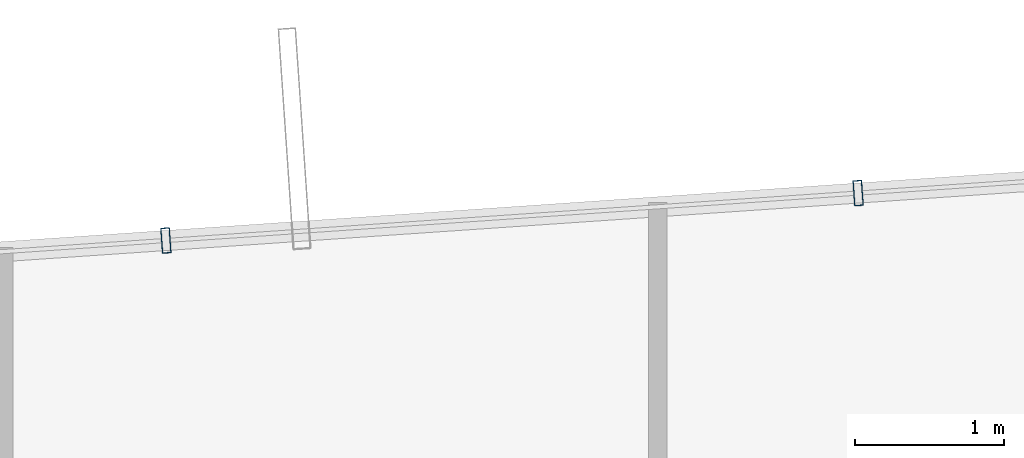
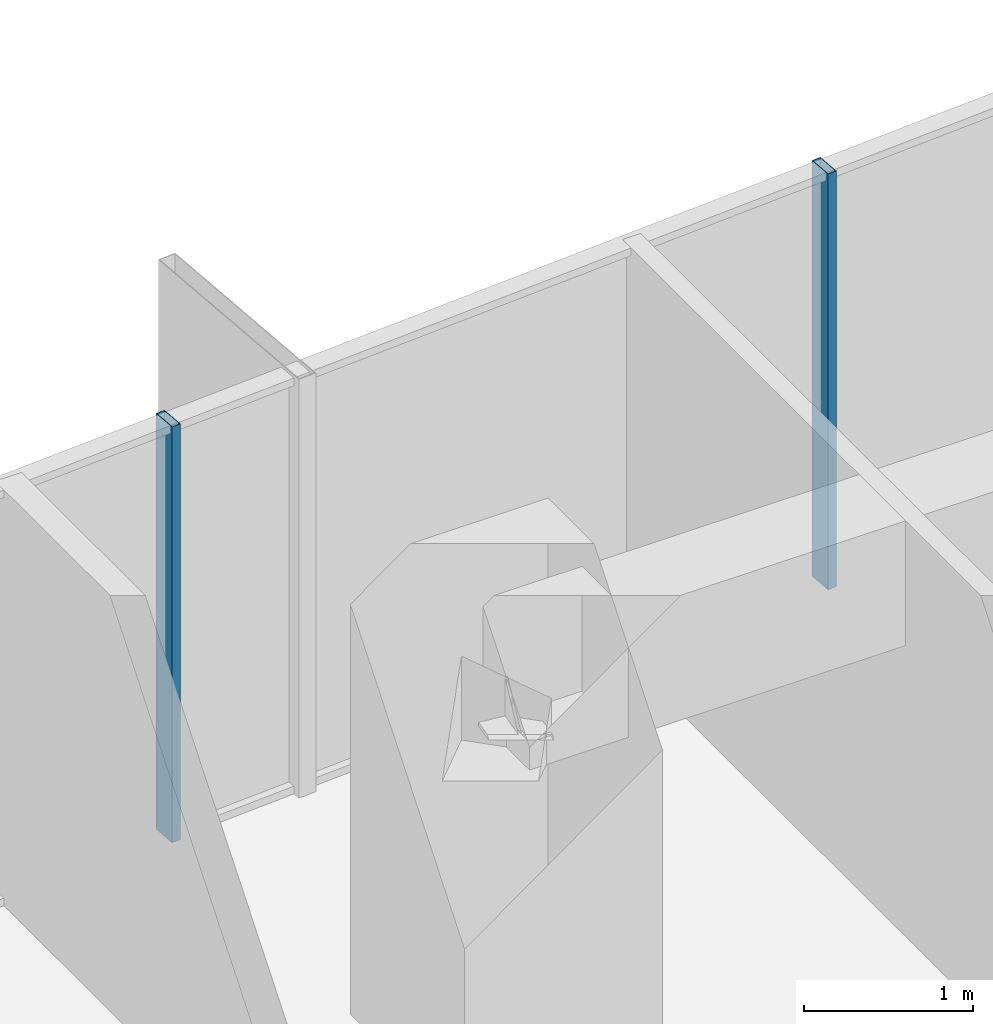
# One storey, part 25 of 37: 2 members, 1 element without a shape of its own.
"""IFC4 building model written with IfcOpenShell, lengths in metres."""

from ifc_helpers import new_model, si_unit, direction, frame, origin, origin_2d, place, context, subcontext, project, spatial, hollow_rectangle, extrude, source, transform, mapped, material, layer, layer_set, material_profile, profile_set, type_object, element, aggregate, save


model = new_model("IFC4")

# Units and contexts
model_context = context("Model", 3, precision=1e-05, world=origin(), true_north=direction((0.0, 1.0)))
body_context = subcontext(model_context, "Body", "Model", "MODEL_VIEW")
ifc_project = project(units=[si_unit("LENGTHUNIT", "METRE"), si_unit("AREAUNIT", "SQUARE_METRE"), si_unit("VOLUMEUNIT", "CUBIC_METRE"), si_unit("PLANEANGLEUNIT", "RADIAN"), si_unit("MASSUNIT", "GRAM", prefix="KILO")], contexts=[model_context])

# Site, building, storey
site_placement = place(None, origin())
site = spatial("IfcSite", under=ifc_project, at=site_placement, CompositionType="ELEMENT")
building_placement = place(site_placement, origin())
building = spatial("IfcBuilding", under=site, at=building_placement, Name="Veraguas Prism Commons", CompositionType="ELEMENT")
storey_placement = place(building_placement, frame((0.0, 0.0, 37.050048828125)))
storey = spatial("IfcBuildingStorey", under=building, at=storey_placement, Name="L09", CompositionType="ELEMENT", Elevation=37.050048828125)

# Curtain wall, members
ifc_material = material(Name="Anodised aluminium EN AW-6063 T6", Category="aluminium")
ifc_layer = layer(ifc_material, 0.169921875, Name="Unitised Flush Curtain Wall Zone 1", Category="aluminium")
ifc_layer_set = layer_set([ifc_layer], Name="Anodised aluminium EN AW-6063 T6")
curtain_wall_type = type_object("IfcCurtainWallType", Name="Unitised Flush Curtain Wall Zone 1", PredefinedType="NOTDEFINED", material=ifc_layer_set)
curtain_wall_placement = place(storey_placement, origin())
curtain_wall = element("IfcCurtainWall", 1, at=curtain_wall_placement, inside=storey, type_object=curtain_wall_type, Name="Tower Facade Curtain Wall L09-F2", PredefinedType="NOTDEFINED")
ifc_material_profile = material_profile(ifc_material, hollow_rectangle(XDim=0.06005859375, YDim=0.169921875, WallThickness=0.00390625, at=origin_2d()), Name="AL60X170X4")
ifc_profile_set = profile_set([ifc_material_profile], Name="Anodised aluminium EN AW-6063 T6")
member_type = type_object("IfcMemberType", Name="Curtain Wall Mullion Lower AL 60x170x4", PredefinedType="MULLION", material=ifc_profile_set)
shared_shape = source(origin(), body_context, "Body", "SweptSolid", [
    extrude(hollow_rectangle(XDim=0.06005859375, YDim=0.169921875, WallThickness=0.00390625, at=origin_2d()), origin(), (0.0, 0.0, 1.0), 3.0),
])
member_1_placement = place(storey_placement, frame((22.5791015625, 44.73583984375, 0.0), z_axis=(0.0, 0.0, 1.0), x_axis=(-0.997660476238, -0.068363544026, 0.0)))
member_1 = element("IfcMember", 2, at=member_1_placement, type_object=member_type, Name="CW-Z1 Mullion 3", PredefinedType="MULLION", context=body_context, shape_type="MappedRepresentation", body=[
    mapped(shared_shape, transform((0.0, 0.0, 0.0), scale=1.0)),
])
member_2_placement = place(storey_placement, frame((17.919189453125, 44.41650390625, 0.0), z_axis=(0.0, 0.0, 1.0), x_axis=(-0.997660476238, -0.068363544026, 0.0)))
member_2 = element("IfcMember", 3, at=member_2_placement, type_object=member_type, Name="CW-Z1 Mullion 4", PredefinedType="MULLION", context=body_context, shape_type="MappedRepresentation", body=[
    mapped(shared_shape, transform((0.0, 0.0, 0.0), scale=1.0)),
])
aggregate(curtain_wall, [member_1, member_2])

save(model, "model.ifc")
